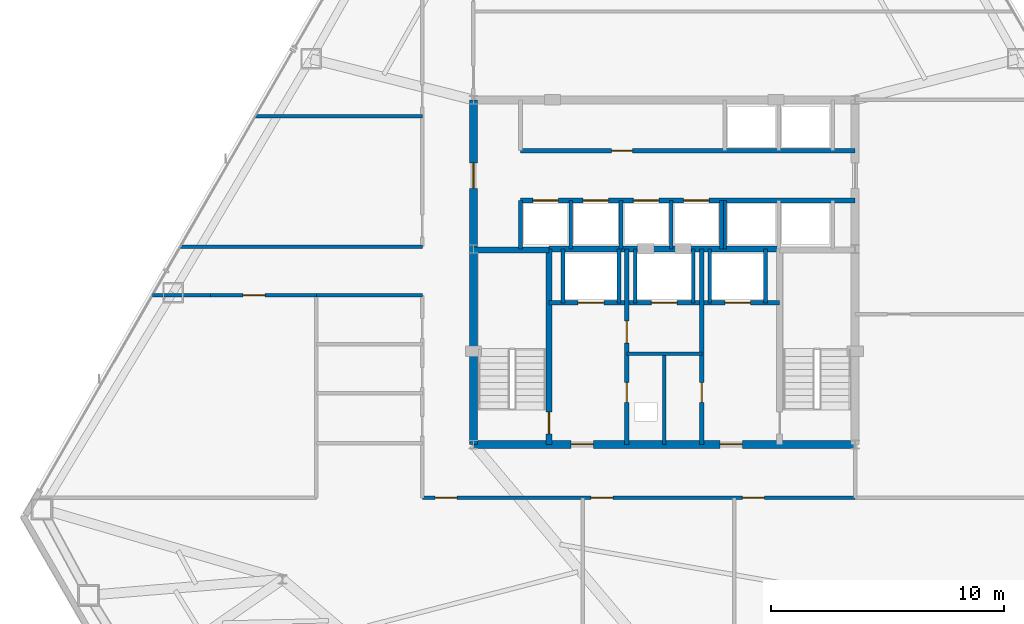
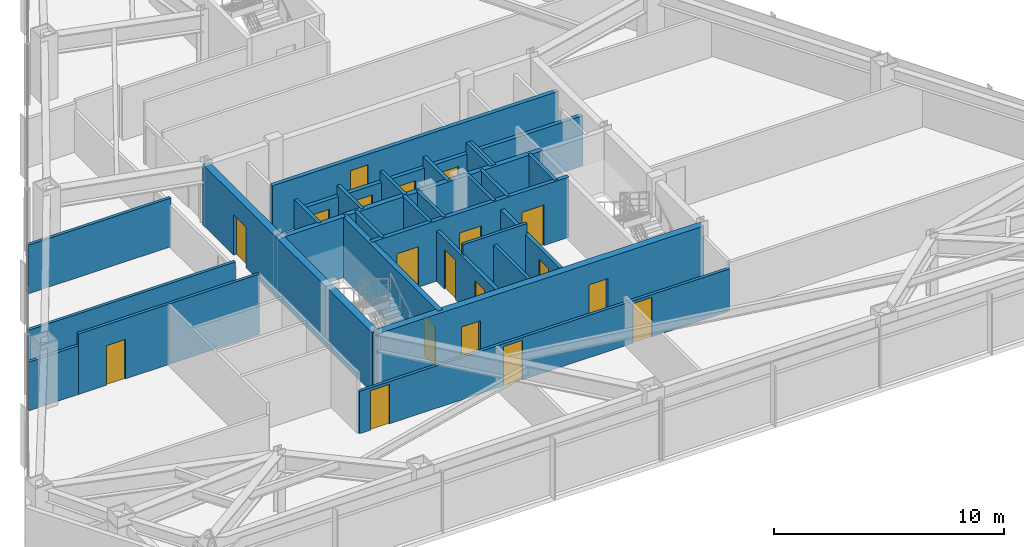
# One storey, part 10 of 12: 30 walls, 19 doors, 19 openings.
"""IFC4 building model written with IfcOpenShell, lengths in metres."""

from ifc_helpers import new_model, si_unit, direction, frame, frame_2d, origin, place, context, subcontext, project, spatial, rectangle, extrude, material, layer, layer_set, type_object, element, fill, save


model = new_model("IFC4")

# Units and contexts
model_context = context("Model", 3, precision=1e-05, world=origin(), true_north=direction((0.0, 1.0)))
body_context = subcontext(model_context, "Body", "Model", "MODEL_VIEW")
ifc_project = project(units=[si_unit("LENGTHUNIT", "METRE"), si_unit("AREAUNIT", "SQUARE_METRE"), si_unit("VOLUMEUNIT", "CUBIC_METRE"), si_unit("PLANEANGLEUNIT", "RADIAN"), si_unit("MASSUNIT", "GRAM", prefix="KILO")], contexts=[model_context])

# Site, building, storey
site_placement = place(None, origin())
site = spatial("IfcSite", under=ifc_project, at=site_placement, CompositionType="ELEMENT")
building_placement = place(site_placement, origin())
building = spatial("IfcBuilding", under=site, at=building_placement, Name="Varakhsha Concourse Tower", CompositionType="ELEMENT")
storey_placement = place(building_placement, frame((0.0, 0.0, 119.449951171875)))
storey = spatial("IfcBuildingStorey", under=building, at=storey_placement, Name="L34", CompositionType="ELEMENT", Elevation=119.449951171875)

# Wall, openings, doors
ifc_material_1 = material(Name="Concrete fc 65 MPa", Category="concrete")
ifc_layer_1 = layer(ifc_material_1, 0.35009765625, Name="WL-CORE-350")
ifc_layer_set_1 = layer_set([ifc_layer_1], Name="Concrete fc 65 MPa")
wall_type_1 = type_object("IfcWallType", Name="WL-CORE-350", PredefinedType="SHEAR", material=ifc_layer_set_1)
wall_1_placement = place(storey_placement, frame((31.800048828125, 16.39990234375, 0.0), z_axis=(0.0, 0.0, 1.0), x_axis=(1.0, 0.0, 0.0)))
wall_1 = element("IfcWall", 1, at=wall_1_placement, inside=storey, type_object=wall_type_1, Name="L34 Wall CWALL-S-L34", PredefinedType="SHEAR", context=body_context, shape_type="SweptSolid", body=[
    extrude(rectangle(XDim=16.39990234375, YDim=0.35009765625, at=frame_2d((8.199951171875, 0.0))), origin(), (0.0, 0.0, 1.0), 3.2099609375),
])
opening_1_placement = place(wall_1_placement, frame((4.199951171875, 0.0, 0.0)))
opening_1 = element("IfcOpeningElement", 2, at=opening_1_placement, cuts=wall_1, Name="Opening DF-05", PredefinedType="OPENING", context=body_context, shape_type="SweptSolid", body=[
    extrude(rectangle(XDim=0.949951171875, YDim=2.10009765625, at=frame_2d((0.47509765625, 1.050048828125))), frame((0.0, 0.18505859375, 0.0), z_axis=(0.0, -1.0, 0.0), x_axis=(1.0, 0.0, 0.0)), (0.0, 0.0, 1.0), 0.3701171875),
])
opening_2_placement = place(wall_1_placement, frame((10.60009765625, 0.0, 0.0)))
opening_2 = element("IfcOpeningElement", 3, at=opening_2_placement, cuts=wall_1, Name="Opening DF-05", PredefinedType="OPENING", context=body_context, shape_type="SweptSolid", body=[
    extrude(rectangle(XDim=0.949951171875, YDim=2.10009765625, at=frame_2d((0.47509765625, 1.050048828125))), frame((0.0, 0.18505859375, 0.0), z_axis=(0.0, -1.0, 0.0), x_axis=(1.0, 0.0, 0.0)), (0.0, 0.0, 1.0), 0.3701171875),
])
ifc_material_2 = material(Name="Hollow Galvanised Steel Fire Door Assembly", Category="steel")
door_type_1 = type_object("IfcDoorType", Name="DR-FD60-950", OperationType="NOTDEFINED", PredefinedType="DOOR", material=ifc_material_2)
door_1_placement = place(opening_1_placement, origin())
door_1 = element("IfcDoor", 4, at=door_1_placement, inside=storey, type_object=door_type_1, Name="L34 Firefighting Lobby West Door", OperationType="SINGLE_SWING_RIGHT", OverallHeight=2.10009765625, OverallWidth=0.949951171875, PredefinedType="DOOR", context=body_context, shape_type="SweptSolid", body=[
    extrude(rectangle(XDim=0.949951171875, YDim=2.10009765625, at=frame_2d((0.47509765625, 1.050048828125))), frame((0.0, 0.02490234375, 0.0), z_axis=(0.0, -1.0, 0.0), x_axis=(1.0, 0.0, 0.0)), (0.0, 0.0, 1.0), 0.050048828125),
])
fill(opening_1, door_1)
door_2_placement = place(opening_2_placement, origin())
door_2 = element("IfcDoor", 5, at=door_2_placement, inside=storey, type_object=door_type_1, Name="L34 Firefighting Lobby East Door", OperationType="SINGLE_SWING_LEFT", OverallHeight=2.10009765625, OverallWidth=0.949951171875, PredefinedType="DOOR", context=body_context, shape_type="SweptSolid", body=[
    extrude(rectangle(XDim=0.949951171875, YDim=2.10009765625, at=frame_2d((0.47509765625, 1.050048828125))), frame((0.0, 0.02490234375, 0.0), z_axis=(0.0, -1.0, 0.0), x_axis=(1.0, 0.0, 0.0)), (0.0, 0.0, 1.0), 0.050048828125),
])
fill(opening_2, door_2)

# Wall, opening, door
wall_2_placement = place(storey_placement, frame((31.800048828125, 16.39990234375, 0.0), z_axis=(0.0, 0.0, 1.0), x_axis=(0.0, 1.0, 0.0)))
wall_2 = element("IfcWall", 6, at=wall_2_placement, inside=storey, type_object=wall_type_1, Name="L34 Wall CWALL-W-L34", PredefinedType="SHEAR", context=body_context, shape_type="SweptSolid", body=[
    extrude(rectangle(XDim=14.800048828125, YDim=0.35009765625, at=frame_2d((7.39990234375, 0.0))), origin(), (0.0, 0.0, 1.0), 3.2099609375),
])
opening_3_placement = place(wall_2_placement, frame((11.0, 0.0, 0.0)))
opening_3 = element("IfcOpeningElement", 7, at=opening_3_placement, cuts=wall_2, Name="Opening DL-01", PredefinedType="OPENING", context=body_context, shape_type="SweptSolid", body=[
    extrude(rectangle(XDim=1.10009765625, YDim=2.14990234375, at=frame_2d((0.550048828125, 1.074951171875))), frame((0.0, 0.18505859375, 0.0), z_axis=(0.0, -1.0, 0.0), x_axis=(1.0, 0.0, 0.0)), (0.0, 0.0, 1.0), 0.3701171875),
])
ifc_material_3 = material(Name="Anodised Bronze Architectural Aluminium AA 6063-T6", Category="aluminium")
door_type_2 = type_object("IfcDoorType", Name="DR-LOB-1100", OperationType="NOTDEFINED", PredefinedType="DOOR", material=ifc_material_3)
door_3_placement = place(opening_3_placement, origin())
door_3 = element("IfcDoor", 8, at=door_3_placement, inside=storey, type_object=door_type_2, Name="L34 Lift Lobby West Concourse Door", OperationType="SINGLE_SWING_LEFT", OverallHeight=2.14990234375, OverallWidth=1.10009765625, PredefinedType="DOOR", context=body_context, shape_type="SweptSolid", body=[
    extrude(rectangle(XDim=1.10009765625, YDim=2.14990234375, at=frame_2d((0.550048828125, 1.074951171875))), frame((0.0, 0.02490234375, 0.0), z_axis=(0.0, -1.0, 0.0), x_axis=(1.0, 0.0, 0.0)), (0.0, 0.0, 1.0), 0.050048828125),
])
fill(opening_3, door_3)

# Wall, openings, doors
ifc_material_4 = material(Name="Fire-Rated Type X Gypsum Partition Assembly", Category="gypsum")
ifc_layer_2 = layer(ifc_material_4, 0.179931640625, Name="WL-FFLOB-180")
ifc_layer_set_2 = layer_set([ifc_layer_2], Name="Fire-Rated Type X Gypsum Partition Assembly")
wall_type_2 = type_object("IfcWallType", Name="WL-FFLOB-180", PredefinedType="PARTITIONING", material=ifc_layer_set_2)
wall_3_placement = place(storey_placement, frame((38.389892578125, 16.39990234375, 0.0), z_axis=(0.0, 0.0, 1.0), x_axis=(0.0, 1.0, 0.0)))
wall_3 = element("IfcWall", 9, at=wall_3_placement, inside=storey, type_object=wall_type_2, Name="L34 Wall FFW-1E-L34", PredefinedType="PARTITIONING", context=body_context, shape_type="SweptSolid", body=[
    extrude(rectangle(XDim=8.400146484375, YDim=0.179931640625, at=frame_2d((4.2001953125, 0.0))), origin(), (0.0, 0.0, 1.0), 2.6611328125),
])
opening_4_placement = place(wall_3_placement, frame((1.800048828125, 0.0, 0.0)))
opening_4 = element("IfcOpeningElement", 10, at=opening_4_placement, cuts=wall_3, Name="Opening DF-07", PredefinedType="OPENING", context=body_context, shape_type="SweptSolid", body=[
    extrude(rectangle(XDim=0.85009765625, YDim=2.050048828125, at=frame_2d((0.425048828125, 1.02490234375))), frame((0.0, 0.099853515625, 0.0), z_axis=(0.0, -1.0, 0.0), x_axis=(1.0, 0.0, 0.0)), (0.0, 0.0, 1.0), 0.199951171875),
])
opening_5_placement = place(wall_3_placement, frame((4.35009765625, 0.0, 0.0)))
opening_5 = element("IfcOpeningElement", 11, at=opening_5_placement, cuts=wall_3, Name="Opening DF-05", PredefinedType="OPENING", context=body_context, shape_type="SweptSolid", body=[
    extrude(rectangle(XDim=0.949951171875, YDim=2.10009765625, at=frame_2d((0.47509765625, 1.050048828125))), frame((0.0, 0.099853515625, 0.0), z_axis=(0.0, -1.0, 0.0), x_axis=(1.0, 0.0, 0.0)), (0.0, 0.0, 1.0), 0.199951171875),
])
door_type_3 = type_object("IfcDoorType", Name="DR-FD60-850", OperationType="NOTDEFINED", PredefinedType="DOOR", material=ifc_material_2)
door_4_placement = place(opening_4_placement, origin())
door_4 = element("IfcDoor", 12, at=door_4_placement, inside=storey, type_object=door_type_3, Name="L34 Power Metering Closet Door", OperationType="SINGLE_SWING_LEFT", OverallHeight=2.050048828125, OverallWidth=0.85009765625, PredefinedType="DOOR", context=body_context, shape_type="SweptSolid", body=[
    extrude(rectangle(XDim=0.85009765625, YDim=2.050048828125, at=frame_2d((0.425048828125, 1.02490234375))), frame((0.0, 0.02490234375, 0.0), z_axis=(0.0, -1.0, 0.0), x_axis=(1.0, 0.0, 0.0)), (0.0, 0.0, 1.0), 0.050048828125),
])
fill(opening_4, door_4)
door_5_placement = place(opening_5_placement, origin())
door_5 = element("IfcDoor", 13, at=door_5_placement, inside=storey, type_object=door_type_1, Name="L34 Service Vestibule Door", OperationType="SINGLE_SWING_RIGHT", OverallHeight=2.10009765625, OverallWidth=0.949951171875, PredefinedType="DOOR", context=body_context, shape_type="SweptSolid", body=[
    extrude(rectangle(XDim=0.949951171875, YDim=2.10009765625, at=frame_2d((0.47509765625, 1.050048828125))), frame((0.0, 0.02490234375, 0.0), z_axis=(0.0, -1.0, 0.0), x_axis=(1.0, 0.0, 0.0)), (0.0, 0.0, 1.0), 0.050048828125),
])
fill(opening_5, door_5)

# Wall, opening, door
wall_4_placement = place(storey_placement, frame((41.610107421875, 16.39990234375, 0.0), z_axis=(0.0, 0.0, 1.0), x_axis=(0.0, 1.0, 0.0)))
wall_4 = element("IfcWall", 14, at=wall_4_placement, inside=storey, type_object=wall_type_2, Name="L34 Wall FFW-2W-L34", PredefinedType="PARTITIONING", context=body_context, shape_type="SweptSolid", body=[
    extrude(rectangle(XDim=8.400146484375, YDim=0.179931640625, at=frame_2d((4.2001953125, 0.0))), origin(), (0.0, 0.0, 1.0), 2.6611328125),
])
opening_6_placement = place(wall_4_placement, frame((1.800048828125, 0.0, 0.0)))
opening_6 = element("IfcOpeningElement", 15, at=opening_6_placement, cuts=wall_4, Name="Opening DF-07", PredefinedType="OPENING", context=body_context, shape_type="SweptSolid", body=[
    extrude(rectangle(XDim=0.85009765625, YDim=2.050048828125, at=frame_2d((0.425048828125, 1.02490234375))), frame((0.0, 0.099853515625, 0.0), z_axis=(0.0, -1.0, 0.0), x_axis=(1.0, 0.0, 0.0)), (0.0, 0.0, 1.0), 0.199951171875),
])
door_6_placement = place(opening_6_placement, origin())
door_6 = element("IfcDoor", 16, at=door_6_placement, inside=storey, type_object=door_type_3, Name="L34 BMS Control Closet Door", OperationType="SINGLE_SWING_RIGHT", OverallHeight=2.050048828125, OverallWidth=0.85009765625, PredefinedType="DOOR", context=body_context, shape_type="SweptSolid", body=[
    extrude(rectangle(XDim=0.85009765625, YDim=2.050048828125, at=frame_2d((0.425048828125, 1.02490234375))), frame((0.0, 0.02490234375, 0.0), z_axis=(0.0, -1.0, 0.0), x_axis=(1.0, 0.0, 0.0)), (0.0, 0.0, 1.0), 0.050048828125),
])
fill(opening_6, door_6)

# Walls
ifc_layer_3 = layer(ifc_material_4, 0.14990234375, Name="WL-PART-150")
ifc_layer_set_3 = layer_set([ifc_layer_3], Name="Fire-Rated Type X Gypsum Partition Assembly")
wall_type_3 = type_object("IfcWallType", Name="WL-PART-150", PredefinedType="PARTITIONING", material=ifc_layer_set_3)
wall_5_placement = place(storey_placement, frame((38.389892578125, 20.300048828125, 0.0), z_axis=(0.0, 0.0, 1.0), x_axis=(1.0, 0.0, 0.0)))
element("IfcWall", 17, at=wall_5_placement, inside=storey, type_object=wall_type_3, Name="L34 Wall RSW-TH-L34", PredefinedType="PARTITIONING", context=body_context, shape_type="SweptSolid", body=[
    extrude(rectangle(XDim=3.22021484375, YDim=0.14990234375, at=frame_2d((1.610107421875, 0.0))), origin(), (0.0, 0.0, 1.0), 3.2099609375),
])
wall_6_placement = place(storey_placement, frame((40.0, 16.39990234375, 0.0), z_axis=(0.0, 0.0, 1.0), x_axis=(0.0, 1.0, 0.0)))
element("IfcWall", 18, at=wall_6_placement, inside=storey, type_object=wall_type_3, Name="L34 Wall RSW-TV-L34", PredefinedType="PARTITIONING", context=body_context, shape_type="SweptSolid", body=[
    extrude(rectangle(XDim=3.900146484375, YDim=0.14990234375, at=frame_2d((1.9501953125, 0.0))), origin(), (0.0, 0.0, 1.0), 2.6611328125),
])

# Wall, openings, doors
wall_7_placement = place(storey_placement, frame((29.60009765625, 14.10009765625, 0.0), z_axis=(0.0, 0.0, 1.0), x_axis=(1.0, 0.0, 0.0)))
wall_7 = element("IfcWall", 19, at=wall_7_placement, inside=storey, type_object=wall_type_3, Name="L34 Wall CRW-S-L34", PredefinedType="PARTITIONING", context=body_context, shape_type="SweptSolid", body=[
    extrude(rectangle(XDim=18.599853515625, YDim=0.14990234375, at=frame_2d((9.2998046875, 0.0))), origin(), (0.0, 0.0, 1.0), 2.251953125),
])
opening_7_placement = place(wall_7_placement, frame((0.550048828125, 0.0, 0.0)))
opening_7 = element("IfcOpeningElement", 20, at=opening_7_placement, cuts=wall_7, Name="Opening DF-05", PredefinedType="OPENING", context=body_context, shape_type="SweptSolid", body=[
    extrude(rectangle(XDim=0.949951171875, YDim=2.10009765625, at=frame_2d((0.47509765625, 1.050048828125))), frame((0.0, 0.0849609375, 0.0), z_axis=(0.0, -1.0, 0.0), x_axis=(1.0, 0.0, 0.0)), (0.0, 0.0, 1.0), 0.169921875),
])
opening_8_placement = place(wall_7_placement, frame((7.25, 0.0, 0.0)))
opening_8 = element("IfcOpeningElement", 21, at=opening_8_placement, cuts=wall_7, Name="Opening DF-05", PredefinedType="OPENING", context=body_context, shape_type="SweptSolid", body=[
    extrude(rectangle(XDim=0.949951171875, YDim=2.10009765625, at=frame_2d((0.47509765625, 1.050048828125))), frame((0.0, 0.0849609375, 0.0), z_axis=(0.0, -1.0, 0.0), x_axis=(1.0, 0.0, 0.0)), (0.0, 0.0, 1.0), 0.169921875),
])
opening_9_placement = place(wall_7_placement, frame((13.75, 0.0, 0.0)))
opening_9 = element("IfcOpeningElement", 22, at=opening_9_placement, cuts=wall_7, Name="Opening DF-05", PredefinedType="OPENING", context=body_context, shape_type="SweptSolid", body=[
    extrude(rectangle(XDim=0.949951171875, YDim=2.10009765625, at=frame_2d((0.47509765625, 1.050048828125))), frame((0.0, 0.0849609375, 0.0), z_axis=(0.0, -1.0, 0.0), x_axis=(1.0, 0.0, 0.0)), (0.0, 0.0, 1.0), 0.169921875),
])
door_7_placement = place(opening_7_placement, origin())
door_7 = element("IfcDoor", 23, at=door_7_placement, inside=storey, type_object=door_type_1, Name="L34 Project Controls Workroom L34-S1 Door", OperationType="SINGLE_SWING_LEFT", OverallHeight=2.10009765625, OverallWidth=0.949951171875, PredefinedType="DOOR", context=body_context, shape_type="SweptSolid", body=[
    extrude(rectangle(XDim=0.949951171875, YDim=2.10009765625, at=frame_2d((0.47509765625, 1.050048828125))), frame((0.0, 0.02490234375, 0.0), z_axis=(0.0, -1.0, 0.0), x_axis=(1.0, 0.0, 0.0)), (0.0, 0.0, 1.0), 0.050048828125),
])
fill(opening_7, door_7)
door_8_placement = place(opening_8_placement, origin())
door_8 = element("IfcDoor", 24, at=door_8_placement, inside=storey, type_object=door_type_1, Name="L34 Strategic Advisory Office Suite L34-S2 Door", OperationType="SINGLE_SWING_RIGHT", OverallHeight=2.10009765625, OverallWidth=0.949951171875, PredefinedType="DOOR", context=body_context, shape_type="SweptSolid", body=[
    extrude(rectangle(XDim=0.949951171875, YDim=2.10009765625, at=frame_2d((0.47509765625, 1.050048828125))), frame((0.0, 0.02490234375, 0.0), z_axis=(0.0, -1.0, 0.0), x_axis=(1.0, 0.0, 0.0)), (0.0, 0.0, 1.0), 0.050048828125),
])
fill(opening_8, door_8)
door_9_placement = place(opening_9_placement, origin())
door_9 = element("IfcDoor", 25, at=door_9_placement, inside=storey, type_object=door_type_1, Name="L34 Strategic Advisory Office Suite L34-S3 Door", OperationType="SINGLE_SWING_LEFT", OverallHeight=2.10009765625, OverallWidth=0.949951171875, PredefinedType="DOOR", context=body_context, shape_type="SweptSolid", body=[
    extrude(rectangle(XDim=0.949951171875, YDim=2.10009765625, at=frame_2d((0.47509765625, 1.050048828125))), frame((0.0, 0.02490234375, 0.0), z_axis=(0.0, -1.0, 0.0), x_axis=(1.0, 0.0, 0.0)), (0.0, 0.0, 1.0), 0.050048828125),
])
fill(opening_9, door_9)

# Walls
wall_8_placement = place(storey_placement, frame((17.997802734375, 22.800048828125, 0.0), z_axis=(0.0, 0.0, 1.0), x_axis=(1.0, 0.0, 0.0)))
element("IfcWall", 26, at=wall_8_placement, inside=storey, type_object=wall_type_3, Name="L34 Wall CRW-WWS-W-L34", PredefinedType="PARTITIONING", context=body_context, shape_type="SweptSolid", body=[
    extrude(rectangle(XDim=2.502197265625, YDim=0.14990234375, at=frame_2d((1.2509765625, 0.0))), origin(), (0.0, 0.0, 1.0), 2.589111328125),
])
wall_9_placement = place(storey_placement, frame((25.050048828125, 22.800048828125, 0.0), z_axis=(0.0, 0.0, 1.0), x_axis=(1.0, 0.0, 0.0)))
element("IfcWall", 27, at=wall_9_placement, inside=storey, type_object=wall_type_3, Name="L34 Wall CRW-WWS-E-L34", PredefinedType="PARTITIONING", context=body_context, shape_type="SweptSolid", body=[
    extrude(rectangle(XDim=4.550048828125, YDim=0.14990234375, at=frame_2d((2.27490234375, 0.0))), origin(), (0.0, 0.0, 1.0), 3.2099609375),
])
wall_10_placement = place(storey_placement, frame((19.20556640625, 24.89990234375, 0.0), z_axis=(0.0, 0.0, 1.0), x_axis=(1.0, 0.0, 0.0)))
element("IfcWall", 28, at=wall_10_placement, inside=storey, type_object=wall_type_3, Name="L34 Wall CRW-WWN-L34", PredefinedType="PARTITIONING", context=body_context, shape_type="SweptSolid", body=[
    extrude(rectangle(XDim=10.39453125, YDim=0.14990234375, at=frame_2d((5.197265625, 0.0))), origin(), (0.0, 0.0, 1.0), 2.589111328125),
])

# Wall, opening, door
wall_11_placement = place(storey_placement, frame((20.5, 22.800048828125, 0.0), z_axis=(0.0, 0.0, 1.0), x_axis=(1.0, 0.0, 0.0)))
wall_11 = element("IfcWall", 29, at=wall_11_placement, inside=storey, type_object=wall_type_3, Name="L34 Wall CRW-WWS-DOOR-L34", PredefinedType="PARTITIONING", context=body_context, shape_type="SweptSolid", body=[
    extrude(rectangle(XDim=4.550048828125, YDim=0.14990234375, at=frame_2d((2.27490234375, 0.0))), origin(), (0.0, 0.0, 1.0), 3.2099609375),
])
opening_10_placement = place(wall_11_placement, frame((1.39990234375, 0.0, 0.0)))
opening_10 = element("IfcOpeningElement", 30, at=opening_10_placement, cuts=wall_11, Name="Opening DF-05", PredefinedType="OPENING", context=body_context, shape_type="SweptSolid", body=[
    extrude(rectangle(XDim=0.949951171875, YDim=2.10009765625, at=frame_2d((0.47509765625, 1.050048828125))), frame((0.0, 0.0849609375, 0.0), z_axis=(0.0, -1.0, 0.0), x_axis=(1.0, 0.0, 0.0)), (0.0, 0.0, 1.0), 0.169921875),
])
door_10_placement = place(opening_10_placement, origin())
door_10 = element("IfcDoor", 31, at=door_10_placement, inside=storey, type_object=door_type_1, Name="L34 Client Briefing Studio L34-SW Door", OperationType="SINGLE_SWING_LEFT", OverallHeight=2.10009765625, OverallWidth=0.949951171875, PredefinedType="DOOR", context=body_context, shape_type="SweptSolid", body=[
    extrude(rectangle(XDim=0.949951171875, YDim=2.10009765625, at=frame_2d((0.47509765625, 1.050048828125))), frame((0.0, 0.02490234375, 0.0), z_axis=(0.0, -1.0, 0.0), x_axis=(1.0, 0.0, 0.0)), (0.0, 0.0, 1.0), 0.050048828125),
])
fill(opening_10, door_10)

# Wall
wall_12_placement = place(storey_placement, frame((22.425537109375, 30.5, 0.0), z_axis=(0.0, 0.0, 1.0), x_axis=(1.0, 0.0, 0.0)))
element("IfcWall", 32, at=wall_12_placement, inside=storey, type_object=wall_type_3, Name="L34 Wall ODIV-W1-L34", PredefinedType="PARTITIONING", context=body_context, shape_type="SweptSolid", body=[
    extrude(rectangle(XDim=7.174560546875, YDim=0.14990234375, at=frame_2d((3.58740234375, 0.0))), origin(), (0.0, 0.0, 1.0), 2.589111328125),
])

# Wall, openings, doors
ifc_layer_4 = layer(ifc_material_4, 0.199951171875, Name="WL-SHAFT-220")
ifc_layer_set_4 = layer_set([ifc_layer_4], Name="Fire-Rated Type X Gypsum Partition Assembly")
wall_type_4 = type_object("IfcWallType", Name="WL-SHAFT-220", PredefinedType="SOLIDWALL", material=ifc_layer_set_4)
wall_13_placement = place(storey_placement, frame((35.044921875, 22.47998046875, 0.0), z_axis=(0.0, 0.0, 1.0), x_axis=(1.0, 0.0, 0.0)))
wall_13 = element("IfcWall", 33, at=wall_13_placement, inside=storey, type_object=wall_type_4, Name="L34 Wall FFW-NH-L34", PredefinedType="SOLIDWALL", context=body_context, shape_type="SweptSolid", body=[
    extrude(rectangle(XDim=9.91015625, YDim=0.199951171875, at=frame_2d((4.955078125, 0.0))), origin(), (0.0, 0.0, 1.0), 3.2099609375),
])
opening_11_placement = place(wall_13_placement, frame((1.2548828125, 0.0, 0.0)))
opening_11 = element("IfcOpeningElement", 34, at=opening_11_placement, cuts=wall_13, Name="Opening LD-FFL-1", PredefinedType="OPENING", context=body_context, shape_type="SweptSolid", body=[
    extrude(rectangle(XDim=1.10009765625, YDim=2.14990234375, at=frame_2d((0.550048828125, 1.074951171875))), frame((0.0, 0.10986328125, 0.0), z_axis=(0.0, -1.0, 0.0), x_axis=(1.0, 0.0, 0.0)), (0.0, 0.0, 1.0), 0.219970703125),
])
opening_12_placement = place(wall_13_placement, frame((7.554931640625, 0.0, 0.0)))
opening_12 = element("IfcOpeningElement", 35, at=opening_12_placement, cuts=wall_13, Name="Opening LD-FFL-2", PredefinedType="OPENING", context=body_context, shape_type="SweptSolid", body=[
    extrude(rectangle(XDim=1.10009765625, YDim=2.14990234375, at=frame_2d((0.550048828125, 1.074951171875))), frame((0.0, 0.10986328125, 0.0), z_axis=(0.0, -1.0, 0.0), x_axis=(1.0, 0.0, 0.0)), (0.0, 0.0, 1.0), 0.219970703125),
])
opening_13_placement = place(wall_13_placement, frame((4.405029296875, 0.0, 0.0)))
opening_13 = element("IfcOpeningElement", 36, at=opening_13_placement, cuts=wall_13, Name="Opening LD-SVL-1", PredefinedType="OPENING", context=body_context, shape_type="SweptSolid", body=[
    extrude(rectangle(XDim=1.10009765625, YDim=2.14990234375, at=frame_2d((0.550048828125, 1.074951171875))), frame((0.0, 0.10986328125, 0.0), z_axis=(0.0, -1.0, 0.0), x_axis=(1.0, 0.0, 0.0)), (0.0, 0.0, 1.0), 0.219970703125),
])
ifc_material_5 = material(Name="Brushed Austenitic Stainless Steel AISI 316", Category="steel")
door_type_4 = type_object("IfcDoorType", Name="DR-LD-1100", OperationType="DOUBLE_DOOR_SLIDING", PredefinedType="DOOR", material=ifc_material_5)
door_11_placement = place(opening_11_placement, origin())
door_11 = element("IfcDoor", 37, at=door_11_placement, inside=storey, type_object=door_type_4, Name="Lift Landing Door FFL-1 L34", OperationType="DOUBLE_DOOR_SLIDING", OverallHeight=2.14990234375, OverallWidth=1.10009765625, PredefinedType="DOOR", context=body_context, shape_type="SweptSolid", body=[
    extrude(rectangle(XDim=1.10009765625, YDim=2.14990234375, at=frame_2d((0.550048828125, 1.074951171875))), frame((0.0, 0.02490234375, 0.0), z_axis=(0.0, -1.0, 0.0), x_axis=(1.0, 0.0, 0.0)), (0.0, 0.0, 1.0), 0.050048828125),
])
fill(opening_11, door_11)
door_12_placement = place(opening_12_placement, origin())
door_12 = element("IfcDoor", 38, at=door_12_placement, inside=storey, type_object=door_type_4, Name="Lift Landing Door FFL-2 L34", OperationType="DOUBLE_DOOR_SLIDING", OverallHeight=2.14990234375, OverallWidth=1.10009765625, PredefinedType="DOOR", context=body_context, shape_type="SweptSolid", body=[
    extrude(rectangle(XDim=1.10009765625, YDim=2.14990234375, at=frame_2d((0.550048828125, 1.074951171875))), frame((0.0, 0.02490234375, 0.0), z_axis=(0.0, -1.0, 0.0), x_axis=(1.0, 0.0, 0.0)), (0.0, 0.0, 1.0), 0.050048828125),
])
fill(opening_12, door_12)
door_13_placement = place(opening_13_placement, origin())
door_13 = element("IfcDoor", 39, at=door_13_placement, inside=storey, type_object=door_type_4, Name="Lift Landing Door SVL-1 L34", OperationType="DOUBLE_DOOR_SLIDING", OverallHeight=2.14990234375, OverallWidth=1.10009765625, PredefinedType="DOOR", context=body_context, shape_type="SweptSolid", body=[
    extrude(rectangle(XDim=1.10009765625, YDim=2.14990234375, at=frame_2d((0.550048828125, 1.074951171875))), frame((0.0, 0.02490234375, 0.0), z_axis=(0.0, -1.0, 0.0), x_axis=(1.0, 0.0, 0.0)), (0.0, 0.0, 1.0), 0.050048828125),
])
fill(opening_13, door_13)

# Walls
for number, where, z_axis, x_axis, name in (
    (40, (35.64990234375, 22.47998046875, 0.0), (0.0, 0.0, 1.0), (0.0, 1.0, 0.0), "L34 Wall SHW-FFL-1-W-L34"),
    (41, (38.050048828125, 22.47998046875, 0.0), (0.0, 0.0, 1.0), (0.0, 1.0, 0.0), "L34 Wall SHW-FFL-1-E-L34"),
    (42, (41.949951171875, 22.47998046875, 0.0), (0.0, 0.0, 1.0), (0.0, 1.0, 0.0), "L34 Wall SHW-FFL-2-W-L34"),
    (43, (44.35009765625, 22.47998046875, 0.0), (0.0, 0.0, 1.0), (0.0, 1.0, 0.0), "L34 Wall SHW-FFL-2-E-L34"),
    (44, (38.75, 22.47998046875, 0.0), (0.0, 0.0, 1.0), (0.0, 1.0, 0.0), "L34 Wall SHW-SVL-1-W-L34"),
    (45, (41.25, 22.47998046875, 0.0), (0.0, 0.0, 1.0), (0.0, 1.0, 0.0), "L34 Wall SHW-SVL-1-E-L34"),
):
    element("IfcWall", number, at=place(storey_placement, frame(where, z_axis=z_axis, x_axis=x_axis)), inside=storey, type_object=wall_type_4, Name=name, PredefinedType="SOLIDWALL", context=body_context, shape_type="SweptSolid", body=[
        extrude(rectangle(XDim=2.320068359375, YDim=0.159912109375, at=frame_2d((1.16015625, 0.0))), origin(), (0.0, 0.0, 1.0), 3.2099609375),
    ])

# Wall, opening, door
wall_14_placement = place(storey_placement, frame((33.820068359375, 29.02001953125, 0.0), z_axis=(0.0, 0.0, 1.0), x_axis=(1.0, 0.0, 0.0)))
wall_14 = element("IfcWall", 46, at=wall_14_placement, inside=storey, type_object=wall_type_4, Name="L34 Wall PLW-N-L34", PredefinedType="SOLIDWALL", context=body_context, shape_type="SweptSolid", body=[
    extrude(rectangle(XDim=14.3798828125, YDim=0.199951171875, at=frame_2d((7.18994140625, 0.0))), origin(), (0.0, 0.0, 1.0), 2.6611328125),
])
opening_14_placement = place(wall_14_placement, frame((3.919921875, 0.0, 0.0)))
opening_14 = element("IfcOpeningElement", 47, at=opening_14_placement, cuts=wall_14, Name="Opening DF-06", PredefinedType="OPENING", context=body_context, shape_type="SweptSolid", body=[
    extrude(rectangle(XDim=0.89990234375, YDim=2.10009765625, at=frame_2d((0.449951171875, 1.050048828125))), frame((0.0, 0.10986328125, 0.0), z_axis=(0.0, -1.0, 0.0), x_axis=(1.0, 0.0, 0.0)), (0.0, 0.0, 1.0), 0.219970703125),
])
door_type_5 = type_object("IfcDoorType", Name="DR-FD60-900", OperationType="NOTDEFINED", PredefinedType="DOOR", material=ifc_material_2)
door_14_placement = place(opening_14_placement, origin())
door_14 = element("IfcDoor", 48, at=door_14_placement, inside=storey, type_object=door_type_5, Name="L34 Tenant Archive and IT Server Room Door", OperationType="SINGLE_SWING_LEFT", OverallHeight=2.10009765625, OverallWidth=0.89990234375, PredefinedType="DOOR", context=body_context, shape_type="SweptSolid", body=[
    extrude(rectangle(XDim=0.89990234375, YDim=2.10009765625, at=frame_2d((0.449951171875, 1.050048828125))), frame((0.0, 0.02490234375, 0.0), z_axis=(0.0, -1.0, 0.0), x_axis=(1.0, 0.0, 0.0)), (0.0, 0.0, 1.0), 0.050048828125),
])
fill(opening_14, door_14)

# Wall, openings, doors
wall_15_placement = place(storey_placement, frame((33.820068359375, 26.8798828125, 0.0), z_axis=(0.0, 0.0, 1.0), x_axis=(1.0, 0.0, 0.0)))
wall_15 = element("IfcWall", 49, at=wall_15_placement, inside=storey, type_object=wall_type_4, Name="L34 Wall PLW-S-L34", PredefinedType="SOLIDWALL", context=body_context, shape_type="SweptSolid", body=[
    extrude(rectangle(XDim=14.3798828125, YDim=0.199951171875, at=frame_2d((7.18994140625, 0.0))), origin(), (0.0, 0.0, 1.0), 2.6611328125),
])
opening_15_placement = place(wall_15_placement, frame((0.530029296875, 0.0, 0.0)))
opening_15 = element("IfcOpeningElement", 50, at=opening_15_placement, cuts=wall_15, Name="Opening LD-LF-P05", PredefinedType="OPENING", context=body_context, shape_type="SweptSolid", body=[
    extrude(rectangle(XDim=1.10009765625, YDim=2.14990234375, at=frame_2d((0.550048828125, 1.074951171875))), frame((0.0, 0.10986328125, 0.0), z_axis=(0.0, -1.0, 0.0), x_axis=(1.0, 0.0, 0.0)), (0.0, 0.0, 1.0), 0.219970703125),
])
opening_16_placement = place(wall_15_placement, frame((2.68994140625, 0.0, 0.0)))
opening_16 = element("IfcOpeningElement", 51, at=opening_16_placement, cuts=wall_15, Name="Opening LD-LF-P06", PredefinedType="OPENING", context=body_context, shape_type="SweptSolid", body=[
    extrude(rectangle(XDim=1.10009765625, YDim=2.14990234375, at=frame_2d((0.550048828125, 1.074951171875))), frame((0.0, 0.10986328125, 0.0), z_axis=(0.0, -1.0, 0.0), x_axis=(1.0, 0.0, 0.0)), (0.0, 0.0, 1.0), 0.219970703125),
])
opening_17_placement = place(wall_15_placement, frame((4.85009765625, 0.0, 0.0)))
opening_17 = element("IfcOpeningElement", 52, at=opening_17_placement, cuts=wall_15, Name="Opening LD-LF-P07", PredefinedType="OPENING", context=body_context, shape_type="SweptSolid", body=[
    extrude(rectangle(XDim=1.10009765625, YDim=2.14990234375, at=frame_2d((0.550048828125, 1.074951171875))), frame((0.0, 0.10986328125, 0.0), z_axis=(0.0, -1.0, 0.0), x_axis=(1.0, 0.0, 0.0)), (0.0, 0.0, 1.0), 0.219970703125),
])
opening_18_placement = place(wall_15_placement, frame((7.010009765625, 0.0, 0.0)))
opening_18 = element("IfcOpeningElement", 53, at=opening_18_placement, cuts=wall_15, Name="Opening LD-LF-P08", PredefinedType="OPENING", context=body_context, shape_type="SweptSolid", body=[
    extrude(rectangle(XDim=1.10009765625, YDim=2.14990234375, at=frame_2d((0.550048828125, 1.074951171875))), frame((0.0, 0.10986328125, 0.0), z_axis=(0.0, -1.0, 0.0), x_axis=(1.0, 0.0, 0.0)), (0.0, 0.0, 1.0), 0.219970703125),
])
door_15_placement = place(opening_15_placement, origin())
door_15 = element("IfcDoor", 54, at=door_15_placement, inside=storey, type_object=door_type_4, Name="Lift Landing Door LF-P05 L34", OperationType="DOUBLE_DOOR_SLIDING", OverallHeight=2.14990234375, OverallWidth=1.10009765625, PredefinedType="DOOR", context=body_context, shape_type="SweptSolid", body=[
    extrude(rectangle(XDim=1.10009765625, YDim=2.14990234375, at=frame_2d((0.550048828125, 1.074951171875))), frame((0.0, 0.02490234375, 0.0), z_axis=(0.0, -1.0, 0.0), x_axis=(1.0, 0.0, 0.0)), (0.0, 0.0, 1.0), 0.050048828125),
])
fill(opening_15, door_15)
door_16_placement = place(opening_16_placement, origin())
door_16 = element("IfcDoor", 55, at=door_16_placement, inside=storey, type_object=door_type_4, Name="Lift Landing Door LF-P06 L34", OperationType="DOUBLE_DOOR_SLIDING", OverallHeight=2.14990234375, OverallWidth=1.10009765625, PredefinedType="DOOR", context=body_context, shape_type="SweptSolid", body=[
    extrude(rectangle(XDim=1.10009765625, YDim=2.14990234375, at=frame_2d((0.550048828125, 1.074951171875))), frame((0.0, 0.02490234375, 0.0), z_axis=(0.0, -1.0, 0.0), x_axis=(1.0, 0.0, 0.0)), (0.0, 0.0, 1.0), 0.050048828125),
])
fill(opening_16, door_16)
door_17_placement = place(opening_17_placement, origin())
door_17 = element("IfcDoor", 56, at=door_17_placement, inside=storey, type_object=door_type_4, Name="Lift Landing Door LF-P07 L34", OperationType="DOUBLE_DOOR_SLIDING", OverallHeight=2.14990234375, OverallWidth=1.10009765625, PredefinedType="DOOR", context=body_context, shape_type="SweptSolid", body=[
    extrude(rectangle(XDim=1.10009765625, YDim=2.14990234375, at=frame_2d((0.550048828125, 1.074951171875))), frame((0.0, 0.02490234375, 0.0), z_axis=(0.0, -1.0, 0.0), x_axis=(1.0, 0.0, 0.0)), (0.0, 0.0, 1.0), 0.050048828125),
])
fill(opening_17, door_17)
door_18_placement = place(opening_18_placement, origin())
door_18 = element("IfcDoor", 57, at=door_18_placement, inside=storey, type_object=door_type_4, Name="Lift Landing Door LF-P08 L34", OperationType="DOUBLE_DOOR_SLIDING", OverallHeight=2.14990234375, OverallWidth=1.10009765625, PredefinedType="DOOR", context=body_context, shape_type="SweptSolid", body=[
    extrude(rectangle(XDim=1.10009765625, YDim=2.14990234375, at=frame_2d((0.550048828125, 1.074951171875))), frame((0.0, 0.02490234375, 0.0), z_axis=(0.0, -1.0, 0.0), x_axis=(1.0, 0.0, 0.0)), (0.0, 0.0, 1.0), 0.050048828125),
])
fill(opening_18, door_18)

# Walls
for number, where, z_axis, x_axis, name in (
    (58, (33.820068359375, 24.800048828125, 0.0), (0.0, 0.0, 1.0), (0.0, 1.0, 0.0), "L34 Wall WBOH-E2-L34"),
    (59, (35.97998046875, 24.800048828125, 0.0), (0.0, 0.0, 1.0), (0.0, 1.0, 0.0), "L34 Wall SHW-LF-P05-E-L34"),
    (60, (38.139892578125, 24.800048828125, 0.0), (0.0, 0.0, 1.0), (0.0, 1.0, 0.0), "L34 Wall SHW-LF-P06-E-L34"),
    (61, (40.300048828125, 24.800048828125, 0.0), (0.0, 0.0, 1.0), (0.0, 1.0, 0.0), "L34 Wall SHW-LF-P07-E-L34"),
    (62, (42.4599609375, 24.800048828125, 0.0), (0.0, 0.0, 1.0), (0.0, 1.0, 0.0), "L34 Wall SHW-LF-P08-E-L34"),
    (63, (42.60009765625, 24.800048828125, 0.0), (0.0, 0.0, 1.0), (0.0, 1.0, 0.0), "L34 Wall SHW-LF-P11-W-L34"),
):
    element("IfcWall", number, at=place(storey_placement, frame(where, z_axis=z_axis, x_axis=x_axis)), inside=storey, type_object=wall_type_4, Name=name, PredefinedType="SOLIDWALL", context=body_context, shape_type="SweptSolid", body=[
        extrude(rectangle(XDim=2.079833984375, YDim=0.159912109375, at=frame_2d((1.0400390625, 0.0))), origin(), (0.0, 0.0, 1.0), 3.2099609375),
    ])

# Wall, opening, door
ifc_material_6 = material(Name="Concrete fc 45 MPa", Category="concrete")
ifc_layer_5 = layer(ifc_material_6, 0.25, Name="WL-STAIR-250")
ifc_layer_set_5 = layer_set([ifc_layer_5], Name="Concrete fc 45 MPa")
wall_type_5 = type_object("IfcWallType", Name="WL-STAIR-250", PredefinedType="SHEAR", material=ifc_layer_set_5)
wall_16_placement = place(storey_placement, frame((35.044921875, 16.39990234375, 0.0), z_axis=(0.0, 0.0, 1.0), x_axis=(0.0, 1.0, 0.0)))
wall_16 = element("IfcWall", 64, at=wall_16_placement, inside=storey, type_object=wall_type_5, Name="L34 Wall SWALL-ST1-E-L34", PredefinedType="SHEAR", context=body_context, shape_type="SweptSolid", body=[
    extrude(rectangle(XDim=8.400146484375, YDim=0.25, at=frame_2d((4.2001953125, 0.0))), origin(), (0.0, 0.0, 1.0), 3.2099609375),
])
opening_19_placement = place(wall_16_placement, frame((0.449951171875, 0.0, 0.0)))
opening_19 = element("IfcOpeningElement", 65, at=opening_19_placement, cuts=wall_16, Name="Opening DF-03", PredefinedType="OPENING", context=body_context, shape_type="SweptSolid", body=[
    extrude(rectangle(XDim=0.949951171875, YDim=2.10009765625, at=frame_2d((0.47509765625, 1.050048828125))), frame((0.0, 0.135009765625, 0.0), z_axis=(0.0, -1.0, 0.0), x_axis=(1.0, 0.0, 0.0)), (0.0, 0.0, 1.0), 0.27001953125),
])
door_type_6 = type_object("IfcDoorType", Name="DR-FD90-950", OperationType="NOTDEFINED", PredefinedType="DOOR", material=ifc_material_2)
door_19_placement = place(opening_19_placement, origin())
door_19 = element("IfcDoor", 66, at=door_19_placement, inside=storey, type_object=door_type_6, Name="L34 Stair ST1 Fire Door", OperationType="SINGLE_SWING_LEFT", OverallHeight=2.10009765625, OverallWidth=0.949951171875, PredefinedType="DOOR", context=body_context, shape_type="SweptSolid", body=[
    extrude(rectangle(XDim=0.949951171875, YDim=2.10009765625, at=frame_2d((0.47509765625, 1.050048828125))), frame((0.0, 0.02490234375, 0.0), z_axis=(0.0, -1.0, 0.0), x_axis=(1.0, 0.0, 0.0)), (0.0, 0.0, 1.0), 0.050048828125),
])
fill(opening_19, door_19)

# Walls
wall_17_placement = place(storey_placement, frame((31.800048828125, 24.7548828125, 0.0), z_axis=(0.0, 0.0, 1.0), x_axis=(1.0, 0.0, 0.0)))
element("IfcWall", 67, at=wall_17_placement, inside=storey, type_object=wall_type_5, Name="L34 Wall SWALL-ST1-N-L34", PredefinedType="SHEAR", context=body_context, shape_type="SweptSolid", body=[
    extrude(rectangle(XDim=3.244873046875, YDim=0.25, at=frame_2d((1.62255859375, 0.0))), origin(), (0.0, 0.0, 1.0), 3.2099609375),
])
wall_18_placement = place(storey_placement, frame((35.044921875, 24.800048828125, 0.0), z_axis=(0.0, 0.0, 1.0), x_axis=(1.0, 0.0, 0.0)))
element("IfcWall", 68, at=wall_18_placement, inside=storey, type_object=wall_type_5, Name="L34 Wall SWALL-MID-H-L34", PredefinedType="SHEAR", context=body_context, shape_type="SweptSolid", body=[
    extrude(rectangle(XDim=9.91015625, YDim=0.25, at=frame_2d((4.955078125, 0.0))), origin(), (0.0, 0.0, 1.0), 3.2099609375),
])

save(model, "model.ifc")
